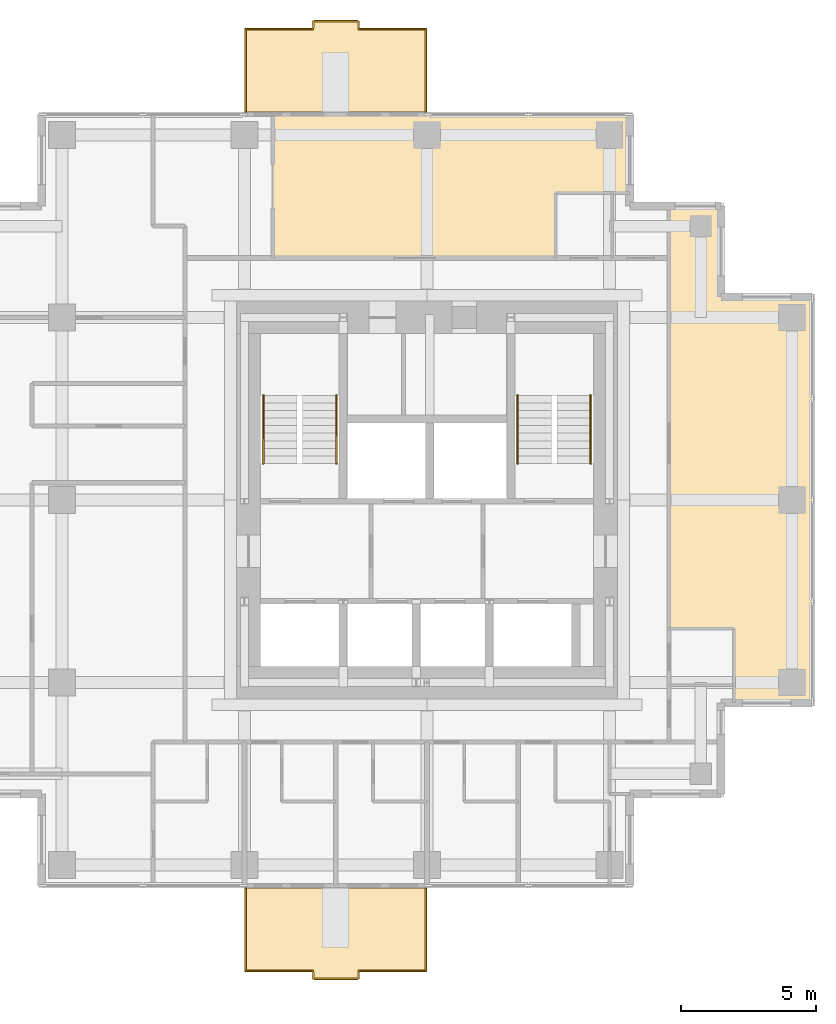
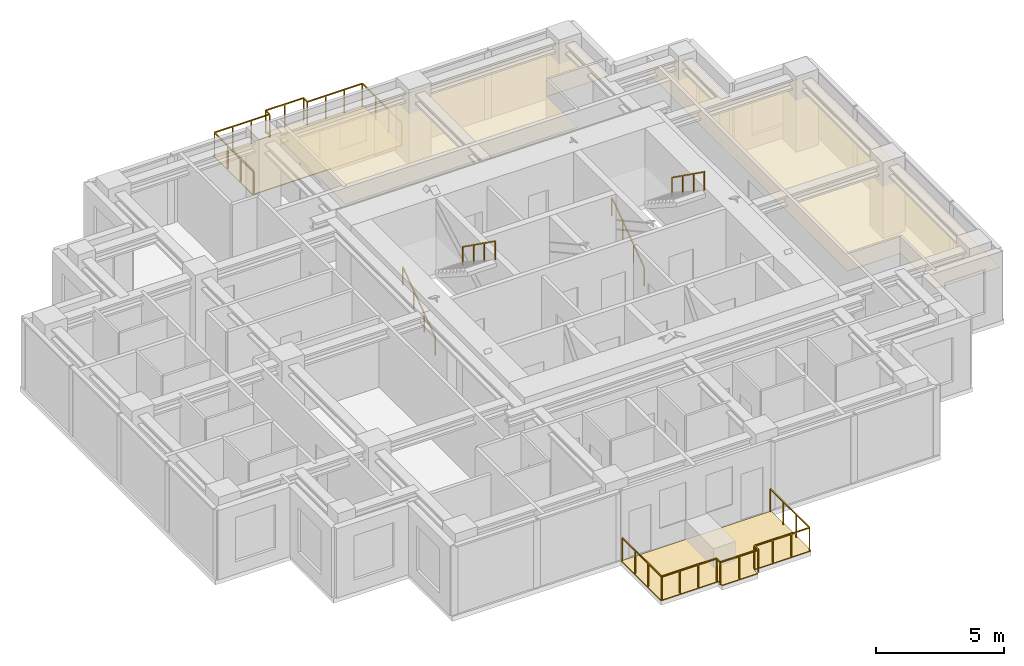
# One storey, part 8 of 8: 6 railings, 4 coverings.
"""IFC4 building model written with IfcOpenShell, lengths in metres."""

from ifc_helpers import new_model, si_unit, direction, frame, origin, origin_2d, place, context, subcontext, project, spatial, polyline, rectangle, outline, extrude, material, layer, layer_set, type_object, element, save


model = new_model("IFC4")

# Units and contexts
model_context = context("Model", 3, precision=1e-05, world=origin(), true_north=direction((0.0, 1.0)))
body_context = subcontext(model_context, "Body", "Model", "MODEL_VIEW")
ifc_project = project(units=[si_unit("LENGTHUNIT", "METRE"), si_unit("AREAUNIT", "SQUARE_METRE"), si_unit("VOLUMEUNIT", "CUBIC_METRE"), si_unit("PLANEANGLEUNIT", "RADIAN"), si_unit("MASSUNIT", "GRAM", prefix="KILO")], contexts=[model_context])

# Site, building, storey
site_placement = place(None, origin())
site = spatial("IfcSite", under=ifc_project, at=site_placement, CompositionType="ELEMENT")
building_placement = place(site_placement, origin())
building = spatial("IfcBuilding", under=site, at=building_placement, Name="Nyansa Garden Tower", CompositionType="ELEMENT")
storey_placement = place(building_placement, frame((0.0, 0.0, 251.10009765625)))
storey = spatial("IfcBuildingStorey", under=building, at=storey_placement, Name="L68", CompositionType="ELEMENT", Elevation=251.10009765625)

# Coverings
ifc_material_1 = material(Name="Perforated timber acoustic ceiling", Category="wood")
ifc_layer_1 = layer(ifc_material_1, 0.02001953125)
ifc_layer_set_1 = layer_set([ifc_layer_1], Name="Acoustic ceiling CL20")
covering_type_1 = type_object("IfcCoveringType", Name="Acoustic ceiling CL20", PredefinedType="CEILING", material=ifc_layer_set_1)
covering_1_placement = place(storey_placement, frame((0.0, 0.0, 2.429931640625)))
element("IfcCovering", 1, at=covering_1_placement, inside=storey, type_object=covering_type_1, Name="Ceiling L68-031", PredefinedType="CEILING", context=body_context, shape_type="SweptSolid", body=[
    extrude(outline(polyline([(31.125, 27.75), (34.5, 27.75), (34.5, 12.75), (31.60009765625, 12.75), (31.60009765625, 15.5), (29.199951171875, 15.5), (29.199951171875, 31.125), (31.125, 31.125), (31.125, 27.75)])), origin(), (0.0, 0.0, 1.0), 0.02001953125),
])
covering_2_placement = place(storey_placement, frame((0.0, 0.0, 2.429931640625)))
element("IfcCovering", 2, at=covering_2_placement, inside=storey, type_object=covering_type_1, Name="Ceiling L68-035", PredefinedType="CEILING", context=body_context, shape_type="SweptSolid", body=[
    extrude(outline(polyline([(25.0, 31.60009765625), (25.0, 29.199951171875), (14.548583984375, 29.199951171875), (14.548583984375, 34.5), (27.75, 34.5), (27.75, 31.60009765625), (25.0, 31.60009765625)])), origin(), (0.0, 0.0, 1.0), 0.02001953125),
])
ifc_material_2 = material(Name="Hardwood decking on pedestals", Category="wood")
ifc_layer_2 = layer(ifc_material_2, 0.0400390625)
ifc_layer_set_2 = layer_set([ifc_layer_2], Name="Balcony decking DK40")
covering_type_2 = type_object("IfcCoveringType", Name="Balcony decking DK40", PredefinedType="FLOORING", material=ifc_layer_set_2)
covering_3_placement = place(storey_placement, frame((0.0, 0.0, -0.0400390625)))
element("IfcCovering", 3, at=covering_3_placement, inside=storey, type_object=covering_type_2, Name="Balcony decking L68", PredefinedType="FLOORING", context=body_context, shape_type="SweptSolid", body=[
    extrude(outline(polyline([(13.5, 5.89990234375), (20.25, 5.89990234375), (20.25, 2.800048828125), (17.675048828125, 2.800048828125), (17.675048828125, 2.5), (16.074951171875, 2.5), (16.074951171875, 2.800048828125), (13.5, 2.800048828125), (13.5, 5.89990234375)])), origin(), (0.0, 0.0, 1.0), 0.0400390625),
])
covering_4_placement = place(storey_placement, frame((0.0, 0.0, -0.0400390625)))
element("IfcCovering", 4, at=covering_4_placement, inside=storey, type_object=covering_type_2, Name="Balcony decking L68", PredefinedType="FLOORING", context=body_context, shape_type="SweptSolid", body=[
    extrude(outline(polyline([(13.5, 34.60009765625), (20.25, 34.60009765625), (20.25, 37.699951171875), (17.675048828125, 37.699951171875), (17.675048828125, 38.0), (16.074951171875, 38.0), (16.074951171875, 37.699951171875), (13.5, 37.699951171875), (13.5, 34.60009765625)])), origin(), (0.0, 0.0, 1.0), 0.0400390625),
])

# Railings
ifc_material_3 = material(Name="Black powder-coated steel balusters, laminated glass infill", Category="steel")
railing_type_1 = type_object("IfcRailingType", Name="Balcony guard G1", PredefinedType="GUARDRAIL", material=ifc_material_3)
railing_1_placement = place(storey_placement, frame((13.550048828125, 5.89990234375, 0.0)))
element("IfcRailing", 5, at=railing_1_placement, inside=storey, type_object=railing_type_1, Name="Balcony guard L68", PredefinedType="GUARDRAIL", context=body_context, shape_type="SweptSolid", body=[
    extrude(rectangle(XDim=0.048095703125, YDim=0.048095703125, at=origin_2d()), frame((0.0, 0.0, 1.076171875), z_axis=(0.0, -1.0, 0.0), x_axis=(1.0, 0.0, 0.0)), (0.0, 0.0, 1.0), 3.0498046875),
    extrude(rectangle(XDim=0.048095703125, YDim=0.048095703125, at=origin_2d()), frame((0.0, -3.0498046875, 1.076171875), z_axis=(1.0, 0.0, 0.0), x_axis=(0.0, 1.0, 0.0)), (0.0, 0.0, 1.0), 2.474853515625),
    extrude(rectangle(XDim=0.048095703125, YDim=0.048095703125, at=origin_2d()), frame((2.474853515625, -3.0498046875, 1.076171875), z_axis=(0.0, -1.0, 0.0), x_axis=(1.0, 0.0, 0.0)), (0.0, 0.0, 1.0), 0.300048828125),
    extrude(rectangle(XDim=0.048095703125, YDim=0.048095703125, at=origin_2d()), frame((2.474853515625, -3.349853515625, 1.076171875), z_axis=(1.0, 0.0, 0.0), x_axis=(0.0, 1.0, 0.0)), (0.0, 0.0, 1.0), 1.7001953125),
    extrude(rectangle(XDim=0.048095703125, YDim=0.048095703125, at=origin_2d()), frame((4.175048828125, -3.349853515625, 1.076171875), z_axis=(0.0, 1.0, 0.0), x_axis=(-1.0, 0.0, 0.0)), (0.0, 0.0, 1.0), 0.300048828125),
    extrude(rectangle(XDim=0.048095703125, YDim=0.048095703125, at=origin_2d()), frame((4.175048828125, -3.0498046875, 1.076171875), z_axis=(1.0, 0.0, 0.0), x_axis=(0.0, 1.0, 0.0)), (0.0, 0.0, 1.0), 2.474853515625),
    extrude(rectangle(XDim=0.048095703125, YDim=0.048095703125, at=origin_2d()), frame((6.64990234375, -3.0498046875, 1.076171875), z_axis=(0.0, 1.0, 0.0), x_axis=(-1.0, 0.0, 0.0)), (0.0, 0.0, 1.0), 3.0498046875),
    extrude(rectangle(XDim=0.0419921875, YDim=0.0419921875, at=origin_2d()), origin(), (0.0, 0.0, 1.0), 1.052001953125),
    extrude(rectangle(XDim=0.0419921875, YDim=0.0419921875, at=origin_2d()), frame((0.0, -1.0166015625, 0.0)), (0.0, 0.0, 1.0), 1.052001953125),
    extrude(rectangle(XDim=0.0419921875, YDim=0.0419921875, at=origin_2d()), frame((0.0, -2.033203125, 0.0)), (0.0, 0.0, 1.0), 1.052001953125),
    extrude(rectangle(XDim=0.0419921875, YDim=0.0419921875, at=origin_2d()), frame((0.0, -3.0498046875, 0.0)), (0.0, 0.0, 1.0), 1.052001953125),
    extrude(rectangle(XDim=0.0419921875, YDim=0.0419921875, at=origin_2d()), frame((0.824951171875, -3.0498046875, 0.0)), (0.0, 0.0, 1.0), 1.052001953125),
    extrude(rectangle(XDim=0.0419921875, YDim=0.0419921875, at=origin_2d()), frame((1.64990234375, -3.0498046875, 0.0)), (0.0, 0.0, 1.0), 1.052001953125),
    extrude(rectangle(XDim=0.0419921875, YDim=0.0419921875, at=origin_2d()), frame((2.474853515625, -3.0498046875, 0.0)), (0.0, 0.0, 1.0), 1.052001953125),
    extrude(rectangle(XDim=0.0419921875, YDim=0.0419921875, at=origin_2d()), frame((2.474853515625, -3.349853515625, 0.0)), (0.0, 0.0, 1.0), 1.052001953125),
    extrude(rectangle(XDim=0.0419921875, YDim=0.0419921875, at=origin_2d()), frame((3.324951171875, -3.349853515625, 0.0)), (0.0, 0.0, 1.0), 1.052001953125),
    extrude(rectangle(XDim=0.0419921875, YDim=0.0419921875, at=origin_2d()), frame((4.175048828125, -3.349853515625, 0.0)), (0.0, 0.0, 1.0), 1.052001953125),
    extrude(rectangle(XDim=0.0419921875, YDim=0.0419921875, at=origin_2d()), frame((4.175048828125, -3.0498046875, 0.0)), (0.0, 0.0, 1.0), 1.052001953125),
    extrude(rectangle(XDim=0.0419921875, YDim=0.0419921875, at=origin_2d()), frame((5.0, -3.0498046875, 0.0)), (0.0, 0.0, 1.0), 1.052001953125),
    extrude(rectangle(XDim=0.0419921875, YDim=0.0419921875, at=origin_2d()), frame((5.824951171875, -3.0498046875, 0.0)), (0.0, 0.0, 1.0), 1.052001953125),
    extrude(rectangle(XDim=0.0419921875, YDim=0.0419921875, at=origin_2d()), frame((6.64990234375, -3.0498046875, 0.0)), (0.0, 0.0, 1.0), 1.052001953125),
    extrude(rectangle(XDim=0.0419921875, YDim=0.0419921875, at=origin_2d()), frame((6.64990234375, -2.033203125, 0.0)), (0.0, 0.0, 1.0), 1.052001953125),
    extrude(rectangle(XDim=0.0419921875, YDim=0.0419921875, at=origin_2d()), frame((6.64990234375, -1.0166015625, 0.0)), (0.0, 0.0, 1.0), 1.052001953125),
    extrude(rectangle(XDim=0.0419921875, YDim=0.0419921875, at=origin_2d()), frame((6.64990234375, 0.0, 0.0)), (0.0, 0.0, 1.0), 1.052001953125),
])
railing_2_placement = place(storey_placement, frame((13.550048828125, 34.60009765625, 0.0)))
element("IfcRailing", 6, at=railing_2_placement, inside=storey, type_object=railing_type_1, Name="Balcony guard L68", PredefinedType="GUARDRAIL", context=body_context, shape_type="SweptSolid", body=[
    extrude(rectangle(XDim=0.048095703125, YDim=0.048095703125, at=origin_2d()), frame((0.0, 0.0, 1.076171875), z_axis=(0.0, 1.0, 0.0), x_axis=(-1.0, 0.0, 0.0)), (0.0, 0.0, 1.0), 3.0498046875),
    extrude(rectangle(XDim=0.048095703125, YDim=0.048095703125, at=origin_2d()), frame((0.0, 3.0498046875, 1.076171875), z_axis=(1.0, 0.0, 0.0), x_axis=(0.0, 1.0, 0.0)), (0.0, 0.0, 1.0), 2.474853515625),
    extrude(rectangle(XDim=0.048095703125, YDim=0.048095703125, at=origin_2d()), frame((2.474853515625, 3.0498046875, 1.076171875), z_axis=(0.0, 1.0, 0.0), x_axis=(-1.0, 0.0, 0.0)), (0.0, 0.0, 1.0), 0.300048828125),
    extrude(rectangle(XDim=0.048095703125, YDim=0.048095703125, at=origin_2d()), frame((2.474853515625, 3.349853515625, 1.076171875), z_axis=(1.0, 0.0, 0.0), x_axis=(0.0, 1.0, 0.0)), (0.0, 0.0, 1.0), 1.7001953125),
    extrude(rectangle(XDim=0.048095703125, YDim=0.048095703125, at=origin_2d()), frame((4.175048828125, 3.349853515625, 1.076171875), z_axis=(0.0, -1.0, 0.0), x_axis=(1.0, 0.0, 0.0)), (0.0, 0.0, 1.0), 0.300048828125),
    extrude(rectangle(XDim=0.048095703125, YDim=0.048095703125, at=origin_2d()), frame((4.175048828125, 3.0498046875, 1.076171875), z_axis=(1.0, 0.0, 0.0), x_axis=(0.0, 1.0, 0.0)), (0.0, 0.0, 1.0), 2.474853515625),
    extrude(rectangle(XDim=0.048095703125, YDim=0.048095703125, at=origin_2d()), frame((6.64990234375, 3.0498046875, 1.076171875), z_axis=(0.0, -1.0, 0.0), x_axis=(1.0, 0.0, 0.0)), (0.0, 0.0, 1.0), 3.0498046875),
    extrude(rectangle(XDim=0.0419921875, YDim=0.0419921875, at=origin_2d()), origin(), (0.0, 0.0, 1.0), 1.052001953125),
    extrude(rectangle(XDim=0.0419921875, YDim=0.0419921875, at=origin_2d()), frame((0.0, 1.0166015625, 0.0)), (0.0, 0.0, 1.0), 1.052001953125),
    extrude(rectangle(XDim=0.0419921875, YDim=0.0419921875, at=origin_2d()), frame((0.0, 2.033203125, 0.0)), (0.0, 0.0, 1.0), 1.052001953125),
    extrude(rectangle(XDim=0.0419921875, YDim=0.0419921875, at=origin_2d()), frame((0.0, 3.0498046875, 0.0)), (0.0, 0.0, 1.0), 1.052001953125),
    extrude(rectangle(XDim=0.0419921875, YDim=0.0419921875, at=origin_2d()), frame((0.824951171875, 3.0498046875, 0.0)), (0.0, 0.0, 1.0), 1.052001953125),
    extrude(rectangle(XDim=0.0419921875, YDim=0.0419921875, at=origin_2d()), frame((1.64990234375, 3.0498046875, 0.0)), (0.0, 0.0, 1.0), 1.052001953125),
    extrude(rectangle(XDim=0.0419921875, YDim=0.0419921875, at=origin_2d()), frame((2.474853515625, 3.0498046875, 0.0)), (0.0, 0.0, 1.0), 1.052001953125),
    extrude(rectangle(XDim=0.0419921875, YDim=0.0419921875, at=origin_2d()), frame((2.474853515625, 3.349853515625, 0.0)), (0.0, 0.0, 1.0), 1.052001953125),
    extrude(rectangle(XDim=0.0419921875, YDim=0.0419921875, at=origin_2d()), frame((3.324951171875, 3.349853515625, 0.0)), (0.0, 0.0, 1.0), 1.052001953125),
    extrude(rectangle(XDim=0.0419921875, YDim=0.0419921875, at=origin_2d()), frame((4.175048828125, 3.349853515625, 0.0)), (0.0, 0.0, 1.0), 1.052001953125),
    extrude(rectangle(XDim=0.0419921875, YDim=0.0419921875, at=origin_2d()), frame((4.175048828125, 3.0498046875, 0.0)), (0.0, 0.0, 1.0), 1.052001953125),
    extrude(rectangle(XDim=0.0419921875, YDim=0.0419921875, at=origin_2d()), frame((5.0, 3.0498046875, 0.0)), (0.0, 0.0, 1.0), 1.052001953125),
    extrude(rectangle(XDim=0.0419921875, YDim=0.0419921875, at=origin_2d()), frame((5.824951171875, 3.0498046875, 0.0)), (0.0, 0.0, 1.0), 1.052001953125),
    extrude(rectangle(XDim=0.0419921875, YDim=0.0419921875, at=origin_2d()), frame((6.64990234375, 3.0498046875, 0.0)), (0.0, 0.0, 1.0), 1.052001953125),
    extrude(rectangle(XDim=0.0419921875, YDim=0.0419921875, at=origin_2d()), frame((6.64990234375, 2.033203125, 0.0)), (0.0, 0.0, 1.0), 1.052001953125),
    extrude(rectangle(XDim=0.0419921875, YDim=0.0419921875, at=origin_2d()), frame((6.64990234375, 1.0166015625, 0.0)), (0.0, 0.0, 1.0), 1.052001953125),
    extrude(rectangle(XDim=0.0419921875, YDim=0.0419921875, at=origin_2d()), frame((6.64990234375, 0.0, 0.0)), (0.0, 0.0, 1.0), 1.052001953125),
])
ifc_material_4 = material(Name="Black powder-coated steel tube 48 mm", Category="steel")
railing_type_2 = type_object("IfcRailingType", Name="Stair handrail HR1", PredefinedType="HANDRAIL", material=ifc_material_4)
railing_3_placement = place(storey_placement, frame((14.199951171875, 21.60009765625, 0.0)))
element("IfcRailing", 7, at=railing_3_placement, inside=storey, type_object=railing_type_2, Name="Stair S1 handrail L68", PredefinedType="HANDRAIL", context=body_context, shape_type="SweptSolid", body=[
    extrude(rectangle(XDim=0.048095703125, YDim=0.048095703125, at=origin_2d()), frame((0.0, 0.0, 0.8759765625), z_axis=(0.0, 0.813765431312, 0.581193446971), x_axis=(-1.0, 0.0, 0.0)), (0.0, 0.0, 1.0), 3.0966796875),
    extrude(rectangle(XDim=0.0419921875, YDim=0.0419921875, at=origin_2d()), origin(), (0.0, 0.0, 1.0), 0.851806640625),
    extrude(rectangle(XDim=0.0419921875, YDim=0.0419921875, at=origin_2d()), frame((0.0, 0.840087890625, 0.599853515625)), (0.0, 0.0, 1.0), 0.851806640625),
    extrude(rectangle(XDim=0.0419921875, YDim=0.0419921875, at=origin_2d()), frame((0.0, 1.679931640625, 1.199951171875)), (0.0, 0.0, 1.0), 0.851806640625),
    extrude(rectangle(XDim=0.0419921875, YDim=0.0419921875, at=origin_2d()), frame((0.0, 2.52001953125, 1.7998046875)), (0.0, 0.0, 1.0), 0.851806640625),
])
railing_4_placement = place(storey_placement, frame((16.89990234375, 24.1201171875, 1.7998046875)))
element("IfcRailing", 8, at=railing_4_placement, inside=storey, type_object=railing_type_2, Name="Stair S1 handrail L68", PredefinedType="HANDRAIL", context=body_context, shape_type="SweptSolid", body=[
    extrude(rectangle(XDim=0.048095703125, YDim=0.048095703125, at=origin_2d()), frame((0.0, 0.0, 0.8759765625), z_axis=(0.0, -0.813728144527, 0.581245650998), x_axis=(1.0, 0.0, 0.0)), (0.0, 0.0, 1.0), 3.096923828125),
    extrude(rectangle(XDim=0.0419921875, YDim=0.0419921875, at=origin_2d()), origin(), (0.0, 0.0, 1.0), 0.851806640625),
    extrude(rectangle(XDim=0.0419921875, YDim=0.0419921875, at=origin_2d()), frame((0.0, -0.840087890625, 0.60009765625)), (0.0, 0.0, 1.0), 0.851806640625),
    extrude(rectangle(XDim=0.0419921875, YDim=0.0419921875, at=origin_2d()), frame((0.0, -1.679931640625, 1.199951171875)), (0.0, 0.0, 1.0), 0.851806640625),
    extrude(rectangle(XDim=0.0419921875, YDim=0.0419921875, at=origin_2d()), frame((0.0, -2.52001953125, 1.800048828125)), (0.0, 0.0, 1.0), 0.851806640625),
])
railing_5_placement = place(storey_placement, frame((23.60009765625, 21.60009765625, 0.0)))
element("IfcRailing", 9, at=railing_5_placement, inside=storey, type_object=railing_type_2, Name="Stair S2 handrail L68", PredefinedType="HANDRAIL", context=body_context, shape_type="SweptSolid", body=[
    extrude(rectangle(XDim=0.048095703125, YDim=0.048095703125, at=origin_2d()), frame((0.0, 0.0, 0.8759765625), z_axis=(0.0, 0.813765431312, 0.581193446971), x_axis=(-1.0, 0.0, 0.0)), (0.0, 0.0, 1.0), 3.0966796875),
    extrude(rectangle(XDim=0.0419921875, YDim=0.0419921875, at=origin_2d()), origin(), (0.0, 0.0, 1.0), 0.851806640625),
    extrude(rectangle(XDim=0.0419921875, YDim=0.0419921875, at=origin_2d()), frame((0.0, 0.840087890625, 0.599853515625)), (0.0, 0.0, 1.0), 0.851806640625),
    extrude(rectangle(XDim=0.0419921875, YDim=0.0419921875, at=origin_2d()), frame((0.0, 1.679931640625, 1.199951171875)), (0.0, 0.0, 1.0), 0.851806640625),
    extrude(rectangle(XDim=0.0419921875, YDim=0.0419921875, at=origin_2d()), frame((0.0, 2.52001953125, 1.7998046875)), (0.0, 0.0, 1.0), 0.851806640625),
])
railing_6_placement = place(storey_placement, frame((26.300048828125, 24.1201171875, 1.7998046875)))
element("IfcRailing", 10, at=railing_6_placement, inside=storey, type_object=railing_type_2, Name="Stair S2 handrail L68", PredefinedType="HANDRAIL", context=body_context, shape_type="SweptSolid", body=[
    extrude(rectangle(XDim=0.048095703125, YDim=0.048095703125, at=origin_2d()), frame((0.0, 0.0, 0.8759765625), z_axis=(0.0, -0.813728144527, 0.581245650998), x_axis=(1.0, 0.0, 0.0)), (0.0, 0.0, 1.0), 3.096923828125),
    extrude(rectangle(XDim=0.0419921875, YDim=0.0419921875, at=origin_2d()), origin(), (0.0, 0.0, 1.0), 0.851806640625),
    extrude(rectangle(XDim=0.0419921875, YDim=0.0419921875, at=origin_2d()), frame((0.0, -0.840087890625, 0.60009765625)), (0.0, 0.0, 1.0), 0.851806640625),
    extrude(rectangle(XDim=0.0419921875, YDim=0.0419921875, at=origin_2d()), frame((0.0, -1.679931640625, 1.199951171875)), (0.0, 0.0, 1.0), 0.851806640625),
    extrude(rectangle(XDim=0.0419921875, YDim=0.0419921875, at=origin_2d()), frame((0.0, -2.52001953125, 1.800048828125)), (0.0, 0.0, 1.0), 0.851806640625),
])

save(model, "model.ifc")
